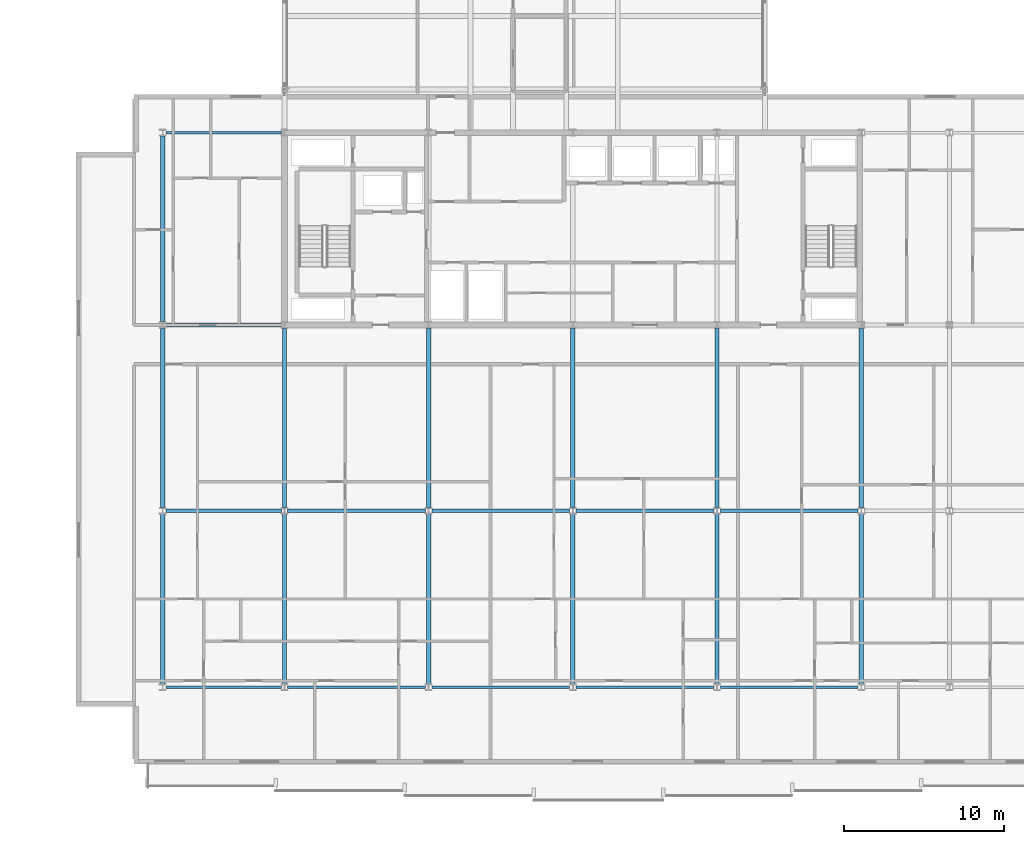
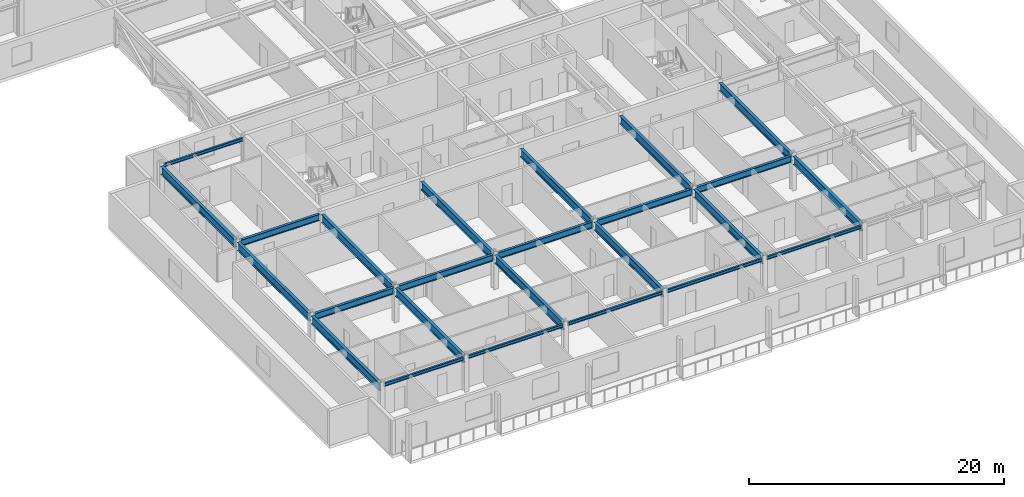
# One storey, part 3 of 36: 25 beams.
"""IFC4 building model written with IfcOpenShell, lengths in metres."""

from ifc_helpers import new_model, si_unit, direction, frame, origin, origin_2d, place, context, subcontext, project, spatial, i_section, extrude, material, material_profile, profile_set, type_object, element, save


model = new_model("IFC4")

# Units and contexts
model_context = context("Model", 3, precision=1e-05, world=origin(), true_north=direction((0.0, 1.0)))
body_context = subcontext(model_context, "Body", "Model", "MODEL_VIEW")
ifc_project = project(units=[si_unit("LENGTHUNIT", "METRE"), si_unit("AREAUNIT", "SQUARE_METRE"), si_unit("VOLUMEUNIT", "CUBIC_METRE"), si_unit("PLANEANGLEUNIT", "RADIAN"), si_unit("MASSUNIT", "GRAM", prefix="KILO")], contexts=[model_context])

# Site, building, storey
site_placement = place(None, origin())
site = spatial("IfcSite", under=ifc_project, at=site_placement, CompositionType="ELEMENT")
building_placement = place(site_placement, origin())
building = spatial("IfcBuilding", under=site, at=building_placement, Name="Korimba Cascade Residences", CompositionType="ELEMENT")
storey_placement = place(building_placement, frame((0.0, 0.0, 139.300048828125)))
storey = spatial("IfcBuildingStorey", under=building, at=storey_placement, Name="L40", CompositionType="ELEMENT", Elevation=139.300048828125)

# Beams
ifc_material = material(Name="Steel S355", Category="steel")
ifc_material_profile_1 = material_profile(ifc_material, i_section(OverallWidth=0.165771484375, OverallDepth=0.306640625, WebThickness=0.006591796875, FlangeThickness=0.01171875, FilletRadius=0.0087890625, at=origin_2d()), Name="Steel S355")
ifc_profile_set_1 = profile_set([ifc_material_profile_1], Name="Steel S355")
beam_type_1 = type_object("IfcBeamType", Name="BM-STL-UB305", PredefinedType="SPANDREL", material=ifc_profile_set_1)
beam_1_placement = place(storey_placement, frame((74.701416015625, -4.199951171875, 3.15673828125), z_axis=(1.0, 0.0, 0.0), x_axis=(0.0, 1.0, 0.0)))
element("IfcBeam", 1, at=beam_1_placement, inside=storey, type_object=beam_type_1, Name="L40 T2 E-W Girder Y1 Bay 1", PredefinedType="SPANDREL", context=body_context, shape_type="SweptSolid", body=[
    extrude(i_section(OverallWidth=0.165771484375, OverallDepth=0.306640625, WebThickness=0.006591796875, FlangeThickness=0.01171875, FilletRadius=0.0087890625, at=origin_2d()), origin(), (0.0, 0.0, 1.0), 7.197021484375),
])
for number, where, z_axis, x_axis, name in (
    (2, (82.301513671875, -4.199951171875, 3.15673828125), (1.0, 0.0, 0.0), (0.0, 1.0, 0.0), "L40 T2 E-W Girder Y1 Bay 2"),
    (3, (91.301513671875, -4.199951171875, 3.15673828125), (1.0, 0.0, 0.0), (0.0, 1.0, 0.0), "L40 T2 E-W Girder Y1 Bay 3"),
    (4, (100.301513671875, -4.199951171875, 3.15673828125), (1.0, 0.0, 0.0), (0.0, 1.0, 0.0), "L40 T2 E-W Girder Y1 Bay 4"),
    (5, (109.301513671875, -4.199951171875, 3.15673828125), (1.0, 0.0, 0.0), (0.0, 1.0, 0.0), "L40 T2 E-W Girder Y1 Bay 5"),
):
    element("IfcBeam", number, at=place(storey_placement, frame(where, z_axis=z_axis, x_axis=x_axis)), inside=storey, type_object=beam_type_1, Name=name, PredefinedType="SPANDREL", context=body_context, shape_type="SweptSolid", body=[
        extrude(i_section(OverallWidth=0.165771484375, OverallDepth=0.306640625, WebThickness=0.006591796875, FlangeThickness=0.01171875, FilletRadius=0.0087890625, at=origin_2d()), origin(), (0.0, 0.0, 1.0), 8.596923828125),
    ])
beam_2_placement = place(storey_placement, frame((74.701416015625, 30.39990234375, 3.15673828125), z_axis=(1.0, 0.0, 0.0), x_axis=(0.0, 1.0, 0.0)))
element("IfcBeam", 6, at=beam_2_placement, inside=storey, type_object=beam_type_1, Name="L40 T2 E-W Girder Y4 Bay 1", PredefinedType="SPANDREL", context=body_context, shape_type="SweptSolid", body=[
    extrude(i_section(OverallWidth=0.165771484375, OverallDepth=0.306640625, WebThickness=0.006591796875, FlangeThickness=0.01171875, FilletRadius=0.0087890625, at=origin_2d()), origin(), (0.0, 0.0, 1.0), 7.197021484375),
])
ifc_material_profile_2 = material_profile(ifc_material, i_section(OverallWidth=0.22900390625, OverallDepth=0.6123046875, WebThickness=0.011962890625, FlangeThickness=0.01953125, FilletRadius=0.0126953125, at=origin_2d()), Name="Steel S355")
ifc_profile_set_2 = profile_set([ifc_material_profile_2], Name="Steel S355")
beam_type_2 = type_object("IfcBeamType", Name="BM-STL-UB610B", PredefinedType="BEAM", material=ifc_profile_set_2)
beam_3_placement = place(storey_placement, frame((74.701416015625, 6.800048828125, 3.00390625), z_axis=(1.0, 0.0, 0.0), x_axis=(0.0, 1.0, 0.0)))
element("IfcBeam", 7, at=beam_3_placement, inside=storey, type_object=beam_type_2, Name="L40 T2 E-W Girder Y2 Bay 1", PredefinedType="BEAM", context=body_context, shape_type="SweptSolid", body=[
    extrude(i_section(OverallWidth=0.22900390625, OverallDepth=0.6123046875, WebThickness=0.011962890625, FlangeThickness=0.01953125, FilletRadius=0.0126953125, at=origin_2d()), origin(), (0.0, 0.0, 1.0), 7.197021484375),
])
for number, where, z_axis, x_axis, name in (
    (8, (82.301513671875, 6.800048828125, 3.00390625), (1.0, 0.0, 0.0), (0.0, 1.0, 0.0), "L40 T2 E-W Girder Y2 Bay 2"),
    (9, (91.301513671875, 6.800048828125, 3.00390625), (1.0, 0.0, 0.0), (0.0, 1.0, 0.0), "L40 T2 E-W Girder Y2 Bay 3"),
    (10, (100.301513671875, 6.800048828125, 3.00390625), (1.0, 0.0, 0.0), (0.0, 1.0, 0.0), "L40 T2 E-W Girder Y2 Bay 4"),
    (11, (109.301513671875, 6.800048828125, 3.00390625), (1.0, 0.0, 0.0), (0.0, 1.0, 0.0), "L40 T2 E-W Girder Y2 Bay 5"),
):
    element("IfcBeam", number, at=place(storey_placement, frame(where, z_axis=z_axis, x_axis=x_axis)), inside=storey, type_object=beam_type_2, Name=name, PredefinedType="BEAM", context=body_context, shape_type="SweptSolid", body=[
        extrude(i_section(OverallWidth=0.22900390625, OverallDepth=0.6123046875, WebThickness=0.011962890625, FlangeThickness=0.01953125, FilletRadius=0.0126953125, at=origin_2d()), origin(), (0.0, 0.0, 1.0), 8.596923828125),
    ])
beam_4_placement = place(storey_placement, frame((74.701416015625, 18.39990234375, 3.00390625), z_axis=(1.0, 0.0, 0.0), x_axis=(0.0, 1.0, 0.0)))
element("IfcBeam", 12, at=beam_4_placement, inside=storey, type_object=beam_type_2, Name="L40 T2 E-W Girder Y3 Bay 1", PredefinedType="BEAM", context=body_context, shape_type="SweptSolid", body=[
    extrude(i_section(OverallWidth=0.22900390625, OverallDepth=0.6123046875, WebThickness=0.011962890625, FlangeThickness=0.01953125, FilletRadius=0.0126953125, at=origin_2d()), origin(), (0.0, 0.0, 1.0), 7.197021484375),
])
ifc_material_profile_3 = material_profile(ifc_material, i_section(OverallWidth=0.26806640625, OverallDepth=0.769775390625, WebThickness=0.015625, FlangeThickness=0.025390625, FilletRadius=0.0166015625, at=origin_2d()), Name="Steel S355")
ifc_profile_set_3 = profile_set([ifc_material_profile_3], Name="Steel S355")
beam_type_3 = type_object("IfcBeamType", Name="BM-STL-UB762", PredefinedType="BEAM", material=ifc_profile_set_3)
beam_5_placement = place(storey_placement, frame((74.5, -3.996826171875, 2.925048828125), z_axis=(0.0, 1.0, 0.0), x_axis=(-1.0, 0.0, 0.0)))
element("IfcBeam", 13, at=beam_5_placement, inside=storey, type_object=beam_type_3, Name="L40 T2 N-S Girder X1 Seg 1", PredefinedType="BEAM", context=body_context, shape_type="SweptSolid", body=[
    extrude(i_section(OverallWidth=0.26806640625, OverallDepth=0.769775390625, WebThickness=0.015625, FlangeThickness=0.025390625, FilletRadius=0.0166015625, at=origin_2d()), origin(), (0.0, 0.0, 1.0), 10.593505859375),
])
beam_6_placement = place(storey_placement, frame((74.5, 7.003173828125, 2.925048828125), z_axis=(0.0, 1.0, 0.0), x_axis=(-1.0, 0.0, 0.0)))
element("IfcBeam", 14, at=beam_6_placement, inside=storey, type_object=beam_type_3, Name="L40 T2 N-S Girder X1 Seg 2", PredefinedType="BEAM", context=body_context, shape_type="SweptSolid", body=[
    extrude(i_section(OverallWidth=0.26806640625, OverallDepth=0.769775390625, WebThickness=0.015625, FlangeThickness=0.025390625, FilletRadius=0.0166015625, at=origin_2d()), origin(), (0.0, 0.0, 1.0), 11.193603515625),
])
beam_7_placement = place(storey_placement, frame((74.5, 18.603271484375, 2.925048828125), z_axis=(0.0, 1.0, 0.0), x_axis=(-1.0, 0.0, 0.0)))
element("IfcBeam", 15, at=beam_7_placement, inside=storey, type_object=beam_type_3, Name="L40 T2 N-S Girder X1 Seg 3", PredefinedType="BEAM", context=body_context, shape_type="SweptSolid", body=[
    extrude(i_section(OverallWidth=0.26806640625, OverallDepth=0.769775390625, WebThickness=0.015625, FlangeThickness=0.025390625, FilletRadius=0.0166015625, at=origin_2d()), origin(), (0.0, 0.0, 1.0), 11.593505859375),
])
beam_8_placement = place(storey_placement, frame((82.10009765625, -3.996826171875, 2.925048828125), z_axis=(0.0, 1.0, 0.0), x_axis=(-1.0, 0.0, 0.0)))
element("IfcBeam", 16, at=beam_8_placement, inside=storey, type_object=beam_type_3, Name="L40 T2 N-S Girder X2 Seg 1", PredefinedType="BEAM", context=body_context, shape_type="SweptSolid", body=[
    extrude(i_section(OverallWidth=0.26806640625, OverallDepth=0.769775390625, WebThickness=0.015625, FlangeThickness=0.025390625, FilletRadius=0.0166015625, at=origin_2d()), origin(), (0.0, 0.0, 1.0), 10.593505859375),
])
beam_9_placement = place(storey_placement, frame((82.10009765625, 7.003173828125, 2.925048828125), z_axis=(0.0, 1.0, 0.0), x_axis=(-1.0, 0.0, 0.0)))
element("IfcBeam", 17, at=beam_9_placement, inside=storey, type_object=beam_type_3, Name="L40 T2 N-S Girder X2 Seg 2", PredefinedType="BEAM", context=body_context, shape_type="SweptSolid", body=[
    extrude(i_section(OverallWidth=0.26806640625, OverallDepth=0.769775390625, WebThickness=0.015625, FlangeThickness=0.025390625, FilletRadius=0.0166015625, at=origin_2d()), origin(), (0.0, 0.0, 1.0), 11.193603515625),
])
beam_10_placement = place(storey_placement, frame((91.10009765625, -3.996826171875, 2.925048828125), z_axis=(0.0, 1.0, 0.0), x_axis=(-1.0, 0.0, 0.0)))
element("IfcBeam", 18, at=beam_10_placement, inside=storey, type_object=beam_type_3, Name="L40 T2 N-S Girder X3 Seg 1", PredefinedType="BEAM", context=body_context, shape_type="SweptSolid", body=[
    extrude(i_section(OverallWidth=0.26806640625, OverallDepth=0.769775390625, WebThickness=0.015625, FlangeThickness=0.025390625, FilletRadius=0.0166015625, at=origin_2d()), origin(), (0.0, 0.0, 1.0), 10.593505859375),
])
beam_11_placement = place(storey_placement, frame((91.10009765625, 7.003173828125, 2.925048828125), z_axis=(0.0, 1.0, 0.0), x_axis=(-1.0, 0.0, 0.0)))
element("IfcBeam", 19, at=beam_11_placement, inside=storey, type_object=beam_type_3, Name="L40 T2 N-S Girder X3 Seg 2", PredefinedType="BEAM", context=body_context, shape_type="SweptSolid", body=[
    extrude(i_section(OverallWidth=0.26806640625, OverallDepth=0.769775390625, WebThickness=0.015625, FlangeThickness=0.025390625, FilletRadius=0.0166015625, at=origin_2d()), origin(), (0.0, 0.0, 1.0), 11.193603515625),
])
beam_12_placement = place(storey_placement, frame((100.10009765625, -3.996826171875, 2.925048828125), z_axis=(0.0, 1.0, 0.0), x_axis=(-1.0, 0.0, 0.0)))
element("IfcBeam", 20, at=beam_12_placement, inside=storey, type_object=beam_type_3, Name="L40 T2 N-S Girder X4 Seg 1", PredefinedType="BEAM", context=body_context, shape_type="SweptSolid", body=[
    extrude(i_section(OverallWidth=0.26806640625, OverallDepth=0.769775390625, WebThickness=0.015625, FlangeThickness=0.025390625, FilletRadius=0.0166015625, at=origin_2d()), origin(), (0.0, 0.0, 1.0), 10.593505859375),
])
beam_13_placement = place(storey_placement, frame((100.10009765625, 7.003173828125, 2.925048828125), z_axis=(0.0, 1.0, 0.0), x_axis=(-1.0, 0.0, 0.0)))
element("IfcBeam", 21, at=beam_13_placement, inside=storey, type_object=beam_type_3, Name="L40 T2 N-S Girder X4 Seg 2", PredefinedType="BEAM", context=body_context, shape_type="SweptSolid", body=[
    extrude(i_section(OverallWidth=0.26806640625, OverallDepth=0.769775390625, WebThickness=0.015625, FlangeThickness=0.025390625, FilletRadius=0.0166015625, at=origin_2d()), origin(), (0.0, 0.0, 1.0), 11.193603515625),
])
beam_14_placement = place(storey_placement, frame((109.10009765625, -3.996826171875, 2.925048828125), z_axis=(0.0, 1.0, 0.0), x_axis=(-1.0, 0.0, 0.0)))
element("IfcBeam", 22, at=beam_14_placement, inside=storey, type_object=beam_type_3, Name="L40 T2 N-S Girder X5 Seg 1", PredefinedType="BEAM", context=body_context, shape_type="SweptSolid", body=[
    extrude(i_section(OverallWidth=0.26806640625, OverallDepth=0.769775390625, WebThickness=0.015625, FlangeThickness=0.025390625, FilletRadius=0.0166015625, at=origin_2d()), origin(), (0.0, 0.0, 1.0), 10.593505859375),
])
beam_15_placement = place(storey_placement, frame((109.10009765625, 7.003173828125, 2.925048828125), z_axis=(0.0, 1.0, 0.0), x_axis=(-1.0, 0.0, 0.0)))
element("IfcBeam", 23, at=beam_15_placement, inside=storey, type_object=beam_type_3, Name="L40 T2 N-S Girder X5 Seg 2", PredefinedType="BEAM", context=body_context, shape_type="SweptSolid", body=[
    extrude(i_section(OverallWidth=0.26806640625, OverallDepth=0.769775390625, WebThickness=0.015625, FlangeThickness=0.025390625, FilletRadius=0.0166015625, at=origin_2d()), origin(), (0.0, 0.0, 1.0), 11.193603515625),
])
beam_16_placement = place(storey_placement, frame((118.10009765625, -3.996826171875, 2.925048828125), z_axis=(0.0, 1.0, 0.0), x_axis=(-1.0, 0.0, 0.0)))
element("IfcBeam", 24, at=beam_16_placement, inside=storey, type_object=beam_type_3, Name="L40 T2 N-S Girder X6 Seg 1", PredefinedType="BEAM", context=body_context, shape_type="SweptSolid", body=[
    extrude(i_section(OverallWidth=0.26806640625, OverallDepth=0.769775390625, WebThickness=0.015625, FlangeThickness=0.025390625, FilletRadius=0.0166015625, at=origin_2d()), origin(), (0.0, 0.0, 1.0), 10.593505859375),
])
beam_17_placement = place(storey_placement, frame((118.10009765625, 7.003173828125, 2.925048828125), z_axis=(0.0, 1.0, 0.0), x_axis=(-1.0, 0.0, 0.0)))
element("IfcBeam", 25, at=beam_17_placement, inside=storey, type_object=beam_type_3, Name="L40 T2 N-S Girder X6 Seg 2", PredefinedType="BEAM", context=body_context, shape_type="SweptSolid", body=[
    extrude(i_section(OverallWidth=0.26806640625, OverallDepth=0.769775390625, WebThickness=0.015625, FlangeThickness=0.025390625, FilletRadius=0.0166015625, at=origin_2d()), origin(), (0.0, 0.0, 1.0), 11.193603515625),
])

save(model, "model.ifc")
